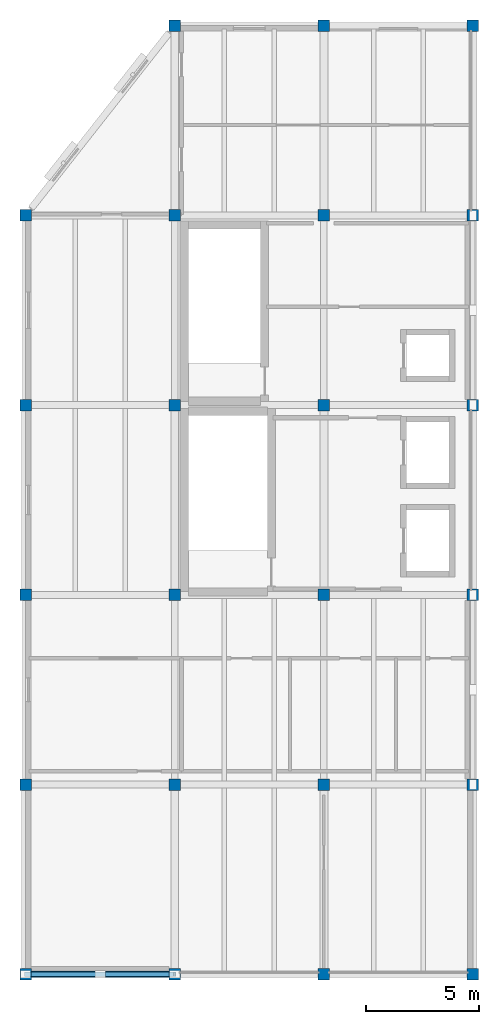
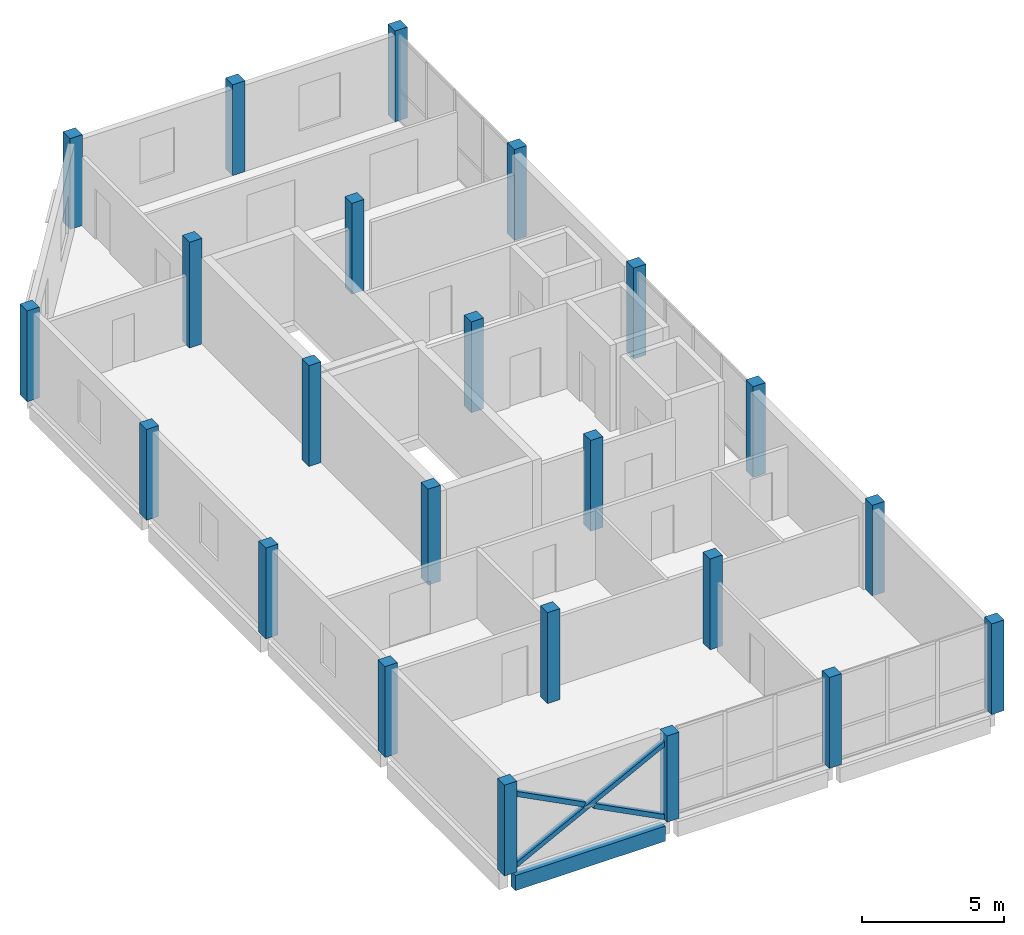
# One storey, part 1 of 7: 23 columns, 3 members, 1 beam.
"""IFC4 building model written with IfcOpenShell, lengths in metres."""

from ifc_helpers import new_model, si_unit, direction, frame, origin, origin_2d, place, context, subcontext, project, spatial, rectangle, hollow_rectangle, extrude, material, material_profile, profile_set, type_object, element, save


model = new_model("IFC4")

# Units and contexts
model_context = context("Model", 3, precision=1e-05, world=origin(), true_north=direction((0.0, 1.0)))
body_context = subcontext(model_context, "Body", "Model", "MODEL_VIEW")
ifc_project = project(units=[si_unit("LENGTHUNIT", "METRE"), si_unit("AREAUNIT", "SQUARE_METRE"), si_unit("VOLUMEUNIT", "CUBIC_METRE"), si_unit("PLANEANGLEUNIT", "RADIAN"), si_unit("MASSUNIT", "GRAM", prefix="KILO")], contexts=[model_context])

# Site, building, storey
site_placement = place(None, origin())
site = spatial("IfcSite", under=ifc_project, at=site_placement, CompositionType="ELEMENT")
building_placement = place(site_placement, origin())
building = spatial("IfcBuilding", under=site, at=building_placement, Name="Qaldarim Faculty of Natural and Applied Sciences", CompositionType="ELEMENT")
storey_placement = place(building_placement, frame((0.0, 0.0, 47.10009765625)))
storey = spatial("IfcBuildingStorey", under=building, at=storey_placement, Name="L11", CompositionType="ELEMENT", Elevation=47.10009765625)

# Columns
ifc_material_1 = material(Name="Concrete C50/60", Category="concrete")
ifc_material_profile_1 = material_profile(ifc_material_1, rectangle(XDim=0.5, YDim=0.5, at=origin_2d()), Name="RC-C500x500")
ifc_profile_set_1 = profile_set([ifc_material_profile_1], Name="Concrete C50/60")
column_type = type_object("IfcColumnType", Name="Column-RC500x500", PredefinedType="COLUMN", material=ifc_profile_set_1)
for number, where, z_axis, x_axis, name in (
    (1, (158.39990234375, 0.0, 0.0), (0.0, 0.0, 1.0), (1.0, 0.0, 0.0), "Column X25/Y01 L11"),
    (2, (158.39990234375, 8.39990234375, 0.0), (0.0, 0.0, 1.0), (1.0, 0.0, 0.0), "Column X25/Y02 L11"),
    (3, (158.39990234375, 16.800048828125, 0.0), (0.0, 0.0, 1.0), (1.0, 0.0, 0.0), "Column X25/Y03 L11"),
    (4, (158.39990234375, 25.199951171875, 0.0), (0.0, 0.0, 1.0), (1.0, 0.0, 0.0), "Column X25/Y04 L11"),
    (5, (158.39990234375, 33.60009765625, 0.0), (0.0, 0.0, 1.0), (1.0, 0.0, 0.0), "Column X25/Y05 L11"),
):
    element("IfcColumn", number, at=place(storey_placement, frame(where, z_axis=z_axis, x_axis=x_axis)), inside=storey, type_object=column_type, Name=name, PredefinedType="COLUMN", context=body_context, shape_type="SweptSolid", body=[
        extrude(rectangle(XDim=0.5, YDim=0.5, at=origin_2d()), origin(), (0.0, 0.0, 1.0), 3.89990234375),
    ])
column_1_placement = place(storey_placement, frame((165.0, 0.0, 0.0), z_axis=(0.0, 0.0, 1.0), x_axis=(1.0, 0.0, 0.0)))
element("IfcColumn", 6, at=column_1_placement, inside=storey, type_object=column_type, Name="Column X26/Y01 L11", PredefinedType="COLUMN", context=body_context, shape_type="SweptSolid", body=[
    extrude(rectangle(XDim=0.5, YDim=0.5, at=origin_2d()), origin(), (0.0, 0.0, 1.0), 3.699951171875),
])
column_2_placement = place(storey_placement, frame((165.0, 8.39990234375, 0.0), z_axis=(0.0, 0.0, 1.0), x_axis=(1.0, 0.0, 0.0)))
element("IfcColumn", 7, at=column_2_placement, inside=storey, type_object=column_type, Name="Column X26/Y02 L11", PredefinedType="COLUMN", context=body_context, shape_type="SweptSolid", body=[
    extrude(rectangle(XDim=0.5, YDim=0.5, at=origin_2d()), origin(), (0.0, 0.0, 1.0), 3.909912109375),
])
column_3_placement = place(storey_placement, frame((165.0, 16.800048828125, 0.0), z_axis=(0.0, 0.0, 1.0), x_axis=(1.0, 0.0, 0.0)))
element("IfcColumn", 8, at=column_3_placement, inside=storey, type_object=column_type, Name="Column X26/Y03 L11", PredefinedType="COLUMN", context=body_context, shape_type="SweptSolid", body=[
    extrude(rectangle(XDim=0.5, YDim=0.5, at=origin_2d()), origin(), (0.0, 0.0, 1.0), 4.119873046875),
])
column_4_placement = place(storey_placement, frame((165.0, 25.199951171875, 0.0), z_axis=(0.0, 0.0, 1.0), x_axis=(1.0, 0.0, 0.0)))
element("IfcColumn", 9, at=column_4_placement, inside=storey, type_object=column_type, Name="Column X26/Y04 L11", PredefinedType="COLUMN", context=body_context, shape_type="SweptSolid", body=[
    extrude(rectangle(XDim=0.5, YDim=0.5, at=origin_2d()), origin(), (0.0, 0.0, 1.0), 4.329833984375),
])
column_5_placement = place(storey_placement, frame((165.0, 33.60009765625, 0.0), z_axis=(0.0, 0.0, 1.0), x_axis=(1.0, 0.0, 0.0)))
element("IfcColumn", 10, at=column_5_placement, inside=storey, type_object=column_type, Name="Column X26/Y05 L11", PredefinedType="COLUMN", context=body_context, shape_type="SweptSolid", body=[
    extrude(rectangle(XDim=0.5, YDim=0.5, at=origin_2d()), origin(), (0.0, 0.0, 1.0), 4.539794921875),
])
for number, where, z_axis, x_axis, name in (
    (11, (165.0, 42.0, 0.0), (0.0, 0.0, 1.0), (1.0, 0.0, 0.0), "Column X26/Y06 L11"),
    (12, (171.60009765625, 0.0, 0.0), (0.0, 0.0, 1.0), (1.0, 0.0, 0.0), "Column X27/Y01 L11"),
    (13, (171.60009765625, 8.39990234375, 0.0), (0.0, 0.0, 1.0), (1.0, 0.0, 0.0), "Column X27/Y02 L11"),
    (14, (171.60009765625, 16.800048828125, 0.0), (0.0, 0.0, 1.0), (1.0, 0.0, 0.0), "Column X27/Y03 L11"),
    (15, (171.60009765625, 25.199951171875, 0.0), (0.0, 0.0, 1.0), (1.0, 0.0, 0.0), "Column X27/Y04 L11"),
    (16, (171.60009765625, 33.60009765625, 0.0), (0.0, 0.0, 1.0), (1.0, 0.0, 0.0), "Column X27/Y05 L11"),
    (17, (171.60009765625, 42.0, 0.0), (0.0, 0.0, 1.0), (1.0, 0.0, 0.0), "Column X27/Y06 L11"),
    (18, (178.199951171875, 0.0, 0.0), (0.0, 0.0, 1.0), (1.0, 0.0, 0.0), "Column X28/Y01 L11"),
    (19, (178.199951171875, 8.39990234375, 0.0), (0.0, 0.0, 1.0), (1.0, 0.0, 0.0), "Column X28/Y02 L11"),
    (20, (178.199951171875, 16.800048828125, 0.0), (0.0, 0.0, 1.0), (1.0, 0.0, 0.0), "Column X28/Y03 L11"),
    (21, (178.199951171875, 25.199951171875, 0.0), (0.0, 0.0, 1.0), (1.0, 0.0, 0.0), "Column X28/Y04 L11"),
    (22, (178.199951171875, 33.60009765625, 0.0), (0.0, 0.0, 1.0), (1.0, 0.0, 0.0), "Column X28/Y05 L11"),
    (23, (178.199951171875, 42.0, 0.0), (0.0, 0.0, 1.0), (1.0, 0.0, 0.0), "Column X28/Y06 L11"),
):
    element("IfcColumn", number, at=place(storey_placement, frame(where, z_axis=z_axis, x_axis=x_axis)), inside=storey, type_object=column_type, Name=name, PredefinedType="COLUMN", context=body_context, shape_type="SweptSolid", body=[
        extrude(rectangle(XDim=0.5, YDim=0.5, at=origin_2d()), origin(), (0.0, 0.0, 1.0), 3.89990234375),
    ])

# Beam
ifc_material_2 = material(Name="Concrete C40/50", Category="concrete")
ifc_material_profile_2 = material_profile(ifc_material_2, rectangle(XDim=0.300048828125, YDim=0.64990234375, at=origin_2d()), Name="RC-B300x650")
ifc_profile_set_2 = profile_set([ifc_material_profile_2], Name="Concrete C40/50")
beam_type = type_object("IfcBeamType", Name="PrimaryBeam-RC300x650", PredefinedType="BEAM", material=ifc_profile_set_2)
beam_placement = place(storey_placement, frame((158.64990234375, 0.0, -0.545166015625), z_axis=(1.0, 0.0, 0.0), x_axis=(0.0, 1.0, 0.0)))
element("IfcBeam", 24, at=beam_placement, inside=storey, type_object=beam_type, Name="Beam RC-B300x650 L10 X25-X26/Y01", PredefinedType="BEAM", context=body_context, shape_type="SweptSolid", body=[
    extrude(rectangle(XDim=0.300048828125, YDim=0.64990234375, at=origin_2d()), origin(), (0.0, 0.0, 1.0), 6.10009765625),
])

# Members
ifc_material_3 = material(Name="Structural steel S355", Category="steel")
ifc_material_profile_3 = material_profile(ifc_material_3, hollow_rectangle(XDim=0.199951171875, YDim=0.199951171875, WallThickness=0.012451171875, at=origin_2d()), Name="SHS 200x200x12.5")
ifc_profile_set_3 = profile_set([ifc_material_profile_3], Name="Structural steel S355")
member_type = type_object("IfcMemberType", Name="UpperWingBrace-SHS200x12-5", PredefinedType="BRACE", material=ifc_profile_set_3)
member_placement = place(storey_placement, frame((158.39990234375, 0.0, 0.0), z_axis=(0.88898266987, 0.0, 0.457940839706), x_axis=(0.0, 1.0, 0.0)))
element("IfcMember", 25, at=member_placement, inside=storey, type_object=member_type, Name="South diagrid L11 primary brace L", PredefinedType="BRACE", context=body_context, shape_type="SweptSolid", body=[
    extrude(hollow_rectangle(XDim=0.199951171875, YDim=0.199951171875, WallThickness=0.012451171875, at=origin_2d()), origin(), (0.0, 0.0, 1.0), 7.42431640625),
])
for number, where, z_axis, x_axis, name in (
    (26, (165.0, 0.0, 0.0), (-0.88893747515, 0.0, 0.458028563819), (0.0, -1.0, 0.0), "South diagrid L11 split secondary lower brace R1"),
    (27, (161.5048828125, 0.0, 1.7998046875), (-0.888909015572, 0.0, 0.458083793683), (0.0, -1.0, 0.0), "South diagrid L11 split secondary upper brace R2"),
):
    element("IfcMember", number, at=place(storey_placement, frame(where, z_axis=z_axis, x_axis=x_axis)), inside=storey, type_object=member_type, Name=name, PredefinedType="BRACE", context=body_context, shape_type="SweptSolid", body=[
        extrude(hollow_rectangle(XDim=0.199951171875, YDim=0.199951171875, WallThickness=0.012451171875, at=origin_2d()), origin(), (0.0, 0.0, 1.0), 3.492919921875),
    ])

save(model, "model.ifc")
